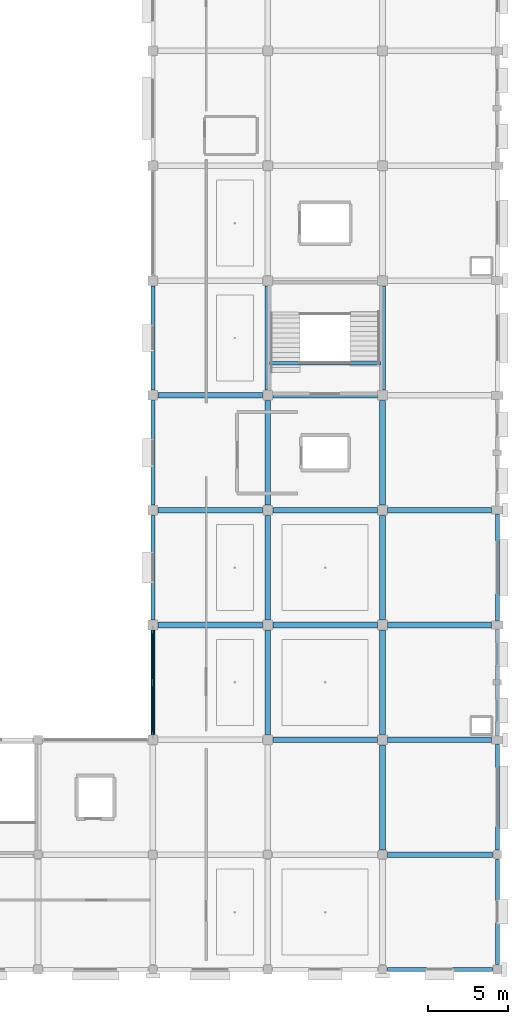
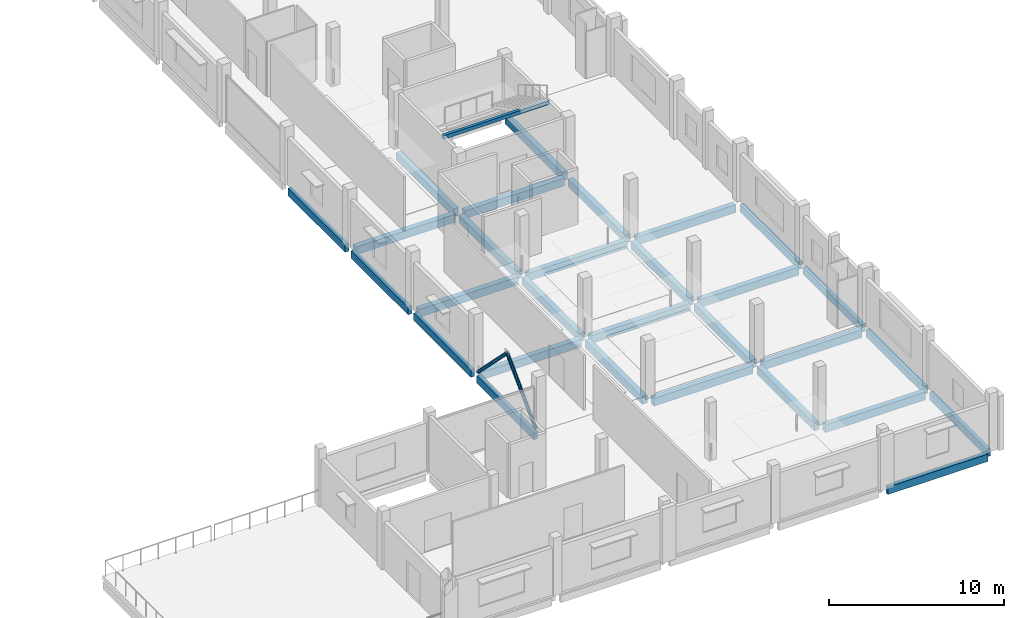
# One storey, part 17 of 59: 30 beams, 2 members.
"""IFC4 building model written with IfcOpenShell, lengths in metres."""

from ifc_helpers import new_model, si_unit, direction, frame, origin, origin_2d, place, context, subcontext, project, spatial, rectangle, hollow_circle, extrude, material, material_profile, profile_set, type_object, element, save


model = new_model("IFC4")

# Units and contexts
model_context = context("Model", 3, precision=1e-05, world=origin(), true_north=direction((0.0, 1.0)))
body_context = subcontext(model_context, "Body", "Model", "MODEL_VIEW")
ifc_project = project(units=[si_unit("LENGTHUNIT", "METRE"), si_unit("AREAUNIT", "SQUARE_METRE"), si_unit("VOLUMEUNIT", "CUBIC_METRE"), si_unit("PLANEANGLEUNIT", "RADIAN"), si_unit("MASSUNIT", "GRAM", prefix="KILO")], contexts=[model_context])

# Site, building, storey
site_placement = place(None, origin())
site = spatial("IfcSite", under=ifc_project, at=site_placement, CompositionType="ELEMENT")
building_placement = place(site_placement, origin())
building = spatial("IfcBuilding", under=site, at=building_placement, Name="Kangsadwip Square Police Headquarters", CompositionType="ELEMENT")
storey_placement = place(building_placement, frame((0.0, 0.0, 21.60009765625)))
storey = spatial("IfcBuildingStorey", under=building, at=storey_placement, Name="L05", CompositionType="ELEMENT", Elevation=21.60009765625)

# Beams
ifc_material_1 = material(Name="Concrete M35 (35 MPa)", Category="concrete")
ifc_material_profile_1 = material_profile(ifc_material_1, rectangle(XDim=0.35009765625, YDim=0.550048828125, at=origin_2d()), Name="RC BM 550X350")
ifc_profile_set_1 = profile_set([ifc_material_profile_1], Name="Concrete M35 (35 MPa)")
beam_type_1 = type_object("IfcBeamType", Name="RcBeam550x350", PredefinedType="BEAM", material=ifc_profile_set_1)
beam_1_placement = place(storey_placement, frame((158.699951171875, 28.800048828125, -0.4951171875), z_axis=(1.0, 0.0, 0.0), x_axis=(0.0, 1.0, 0.0)))
element("IfcBeam", 1, at=beam_1_placement, inside=storey, type_object=beam_type_1, Name="Beam BM-L05-X-22-04", PredefinedType="BEAM", context=body_context, shape_type="SweptSolid", body=[
    extrude(rectangle(XDim=0.35009765625, YDim=0.550048828125, at=origin_2d()), origin(), (0.0, 0.0, 1.0), 6.60009765625),
])
beam_2_placement = place(storey_placement, frame((151.52490234375, 36.0, -0.4951171875), z_axis=(1.0, 0.0, 0.0), x_axis=(0.0, 1.0, 0.0)))
element("IfcBeam", 2, at=beam_2_placement, inside=storey, type_object=beam_type_1, Name="Beam BM-L05-X-21-05", PredefinedType="BEAM", context=body_context, shape_type="SweptSolid", body=[
    extrude(rectangle(XDim=0.35009765625, YDim=0.550048828125, at=origin_2d()), origin(), (0.0, 0.0, 1.0), 6.550048828125),
])
beam_3_placement = place(storey_placement, frame((158.72509765625, 36.0, -0.4951171875), z_axis=(1.0, 0.0, 0.0), x_axis=(0.0, 1.0, 0.0)))
element("IfcBeam", 3, at=beam_3_placement, inside=storey, type_object=beam_type_1, Name="Beam BM-L05-X-22-05", PredefinedType="BEAM", context=body_context, shape_type="SweptSolid", body=[
    extrude(rectangle(XDim=0.35009765625, YDim=0.550048828125, at=origin_2d()), origin(), (0.0, 0.0, 1.0), 6.52490234375),
])
for number, where, z_axis, x_axis, name in (
    (4, (144.324951171875, 43.199951171875, -0.4951171875), (1.0, 0.0, 0.0), (0.0, 1.0, 0.0), "Beam BM-L05-X-20-06"),
    (5, (151.52490234375, 43.199951171875, -0.4951171875), (1.0, 0.0, 0.0), (0.0, 1.0, 0.0), "Beam BM-L05-X-21-06"),
):
    element("IfcBeam", number, at=place(storey_placement, frame(where, z_axis=z_axis, x_axis=x_axis)), inside=storey, type_object=beam_type_1, Name=name, PredefinedType="BEAM", context=body_context, shape_type="SweptSolid", body=[
        extrude(rectangle(XDim=0.35009765625, YDim=0.550048828125, at=origin_2d()), origin(), (0.0, 0.0, 1.0), 6.550048828125),
    ])
beam_4_placement = place(storey_placement, frame((158.72509765625, 43.199951171875, -0.4951171875), z_axis=(1.0, 0.0, 0.0), x_axis=(0.0, 1.0, 0.0)))
element("IfcBeam", 6, at=beam_4_placement, inside=storey, type_object=beam_type_1, Name="Beam BM-L05-X-22-06", PredefinedType="BEAM", context=body_context, shape_type="SweptSolid", body=[
    extrude(rectangle(XDim=0.35009765625, YDim=0.550048828125, at=origin_2d()), origin(), (0.0, 0.0, 1.0), 6.52490234375),
])
for number, where, z_axis, x_axis, name in (
    (7, (144.324951171875, 50.39990234375, -0.4951171875), (1.0, 0.0, 0.0), (0.0, 1.0, 0.0), "Beam BM-L05-X-20-07"),
    (8, (151.52490234375, 50.39990234375, -0.4951171875), (1.0, 0.0, 0.0), (0.0, 1.0, 0.0), "Beam BM-L05-X-21-07"),
):
    element("IfcBeam", number, at=place(storey_placement, frame(where, z_axis=z_axis, x_axis=x_axis)), inside=storey, type_object=beam_type_1, Name=name, PredefinedType="BEAM", context=body_context, shape_type="SweptSolid", body=[
        extrude(rectangle(XDim=0.35009765625, YDim=0.550048828125, at=origin_2d()), origin(), (0.0, 0.0, 1.0), 6.550048828125),
    ])
beam_5_placement = place(storey_placement, frame((158.72509765625, 50.39990234375, -0.4951171875), z_axis=(1.0, 0.0, 0.0), x_axis=(0.0, 1.0, 0.0)))
element("IfcBeam", 9, at=beam_5_placement, inside=storey, type_object=beam_type_1, Name="Beam BM-L05-X-22-07", PredefinedType="BEAM", context=body_context, shape_type="SweptSolid", body=[
    extrude(rectangle(XDim=0.35009765625, YDim=0.550048828125, at=origin_2d()), origin(), (0.0, 0.0, 1.0), 6.52490234375),
])
for number, where, z_axis, x_axis, name in (
    (10, (144.324951171875, 57.60009765625, -0.4951171875), (1.0, 0.0, 0.0), (0.0, 1.0, 0.0), "Beam BM-L05-X-20-08"),
    (11, (151.52490234375, 57.60009765625, -0.4951171875), (1.0, 0.0, 0.0), (0.0, 1.0, 0.0), "Beam BM-L05-X-21-08"),
    (12, (151.199951171875, 36.324951171875, -0.4951171875), (0.0, 1.0, 0.0), (-1.0, 0.0, 0.0), "Beam BM-L05-Y-21-05"),
    (13, (151.199951171875, 43.52490234375, -0.4951171875), (0.0, 1.0, 0.0), (-1.0, 0.0, 0.0), "Beam BM-L05-Y-21-06"),
):
    element("IfcBeam", number, at=place(storey_placement, frame(where, z_axis=z_axis, x_axis=x_axis)), inside=storey, type_object=beam_type_1, Name=name, PredefinedType="BEAM", context=body_context, shape_type="SweptSolid", body=[
        extrude(rectangle(XDim=0.35009765625, YDim=0.550048828125, at=origin_2d()), origin(), (0.0, 0.0, 1.0), 6.550048828125),
    ])
beam_6_placement = place(storey_placement, frame((151.199951171875, 50.72509765625, -0.4951171875), z_axis=(0.0, 1.0, 0.0), x_axis=(-1.0, 0.0, 0.0)))
element("IfcBeam", 14, at=beam_6_placement, inside=storey, type_object=beam_type_1, Name="Beam BM-L05-Y-21-07", PredefinedType="BEAM", context=body_context, shape_type="SweptSolid", body=[
    extrude(rectangle(XDim=0.35009765625, YDim=0.550048828125, at=origin_2d()), origin(), (0.0, 0.0, 1.0), 6.5498046875),
])
beam_7_placement = place(storey_placement, frame((151.199951171875, 57.925048828125, -0.4951171875), z_axis=(0.0, 1.0, 0.0), x_axis=(-1.0, 0.0, 0.0)))
element("IfcBeam", 15, at=beam_7_placement, inside=storey, type_object=beam_type_1, Name="Beam BM-L05-Y-21-08", PredefinedType="BEAM", context=body_context, shape_type="SweptSolid", body=[
    extrude(rectangle(XDim=0.35009765625, YDim=0.550048828125, at=origin_2d()), origin(), (0.0, 0.0, 1.0), 6.550048828125),
])
beam_8_placement = place(storey_placement, frame((158.39990234375, 29.10009765625, -0.4951171875), z_axis=(0.0, 1.0, 0.0), x_axis=(-1.0, 0.0, 0.0)))
element("IfcBeam", 16, at=beam_8_placement, inside=storey, type_object=beam_type_1, Name="Beam BM-L05-Y-22-04", PredefinedType="BEAM", context=body_context, shape_type="SweptSolid", body=[
    extrude(rectangle(XDim=0.35009765625, YDim=0.550048828125, at=origin_2d()), origin(), (0.0, 0.0, 1.0), 6.574951171875),
])
for number, where, z_axis, x_axis, name in (
    (17, (158.39990234375, 36.324951171875, -0.4951171875), (0.0, 1.0, 0.0), (-1.0, 0.0, 0.0), "Beam BM-L05-Y-22-05"),
    (18, (158.39990234375, 43.52490234375, -0.4951171875), (0.0, 1.0, 0.0), (-1.0, 0.0, 0.0), "Beam BM-L05-Y-22-06"),
):
    element("IfcBeam", number, at=place(storey_placement, frame(where, z_axis=z_axis, x_axis=x_axis)), inside=storey, type_object=beam_type_1, Name=name, PredefinedType="BEAM", context=body_context, shape_type="SweptSolid", body=[
        extrude(rectangle(XDim=0.35009765625, YDim=0.550048828125, at=origin_2d()), origin(), (0.0, 0.0, 1.0), 6.550048828125),
    ])
beam_9_placement = place(storey_placement, frame((158.39990234375, 50.72509765625, -0.4951171875), z_axis=(0.0, 1.0, 0.0), x_axis=(-1.0, 0.0, 0.0)))
element("IfcBeam", 19, at=beam_9_placement, inside=storey, type_object=beam_type_1, Name="Beam BM-L05-Y-22-07", PredefinedType="BEAM", context=body_context, shape_type="SweptSolid", body=[
    extrude(rectangle(XDim=0.35009765625, YDim=0.550048828125, at=origin_2d()), origin(), (0.0, 0.0, 1.0), 6.5498046875),
])
beam_10_placement = place(storey_placement, frame((158.39990234375, 57.925048828125, -0.4951171875), z_axis=(0.0, 1.0, 0.0), x_axis=(-1.0, 0.0, 0.0)))
element("IfcBeam", 20, at=beam_10_placement, inside=storey, type_object=beam_type_1, Name="Beam BM-L05-Y-22-08", PredefinedType="BEAM", context=body_context, shape_type="SweptSolid", body=[
    extrude(rectangle(XDim=0.35009765625, YDim=0.550048828125, at=origin_2d()), origin(), (0.0, 0.0, 1.0), 6.550048828125),
])
ifc_material_2 = material(Name="Concrete M30 (30 MPa)", Category="concrete")
ifc_material_profile_2 = material_profile(ifc_material_2, rectangle(XDim=0.199951171875, YDim=0.25, at=origin_2d()), Name="RC LNT 250X200")
ifc_profile_set_2 = profile_set([ifc_material_profile_2], Name="Concrete M30 (30 MPa)")
beam_type_2 = type_object("IfcBeamType", Name="RcLintel250x200", PredefinedType="LINTEL", material=ifc_profile_set_2)
beam_11_placement = place(storey_placement, frame((151.300048828125, 59.6201171875, 3.704833984375), z_axis=(1.0, 0.0, 0.0), x_axis=(0.0, 1.0, 0.0)))
element("IfcBeam", 21, at=beam_11_placement, inside=storey, type_object=beam_type_2, Name="Stair Carriage and Landing Beam BM-ST-L05-053", PredefinedType="BEAM", context=body_context, shape_type="SweptSolid", body=[
    extrude(rectangle(XDim=0.199951171875, YDim=0.25, at=origin_2d()), origin(), (0.0, 0.0, 1.0), 7.0),
])
ifc_material_3 = material(Name="Concrete M35 (35 MPa)", Category="concrete")
ifc_material_profile_3 = material_profile(ifc_material_3, rectangle(XDim=0.25, YDim=0.52001953125, at=origin_2d()), Name="RC SPN 520X250")
ifc_profile_set_3 = profile_set([ifc_material_profile_3], Name="Concrete M35 (35 MPa)")
beam_type_3 = type_object("IfcBeamType", Name="RcSpandrel520x250", PredefinedType="SPANDREL", material=ifc_profile_set_3)
beam_12_placement = place(storey_placement, frame((158.699951171875, 21.60009765625, -0.47998046875), z_axis=(1.0, 0.0, 0.0), x_axis=(0.0, 1.0, 0.0)))
element("IfcBeam", 22, at=beam_12_placement, inside=storey, type_object=beam_type_3, Name="Beam BM-L05-X-22-03", PredefinedType="SPANDREL", context=body_context, shape_type="SweptSolid", body=[
    extrude(rectangle(XDim=0.25, YDim=0.52001953125, at=origin_2d()), origin(), (0.0, 0.0, 1.0), 6.60009765625),
])
for number, where, z_axis, x_axis, name in (
    (23, (144.0, 36.324951171875, -0.47998046875), (0.0, 1.0, 0.0), (-1.0, 0.0, 0.0), "Beam BM-L05-Y-20-05"),
    (24, (144.0, 43.52490234375, -0.47998046875), (0.0, 1.0, 0.0), (-1.0, 0.0, 0.0), "Beam BM-L05-Y-20-06"),
):
    element("IfcBeam", number, at=place(storey_placement, frame(where, z_axis=z_axis, x_axis=x_axis)), inside=storey, type_object=beam_type_3, Name=name, PredefinedType="SPANDREL", context=body_context, shape_type="SweptSolid", body=[
        extrude(rectangle(XDim=0.25, YDim=0.52001953125, at=origin_2d()), origin(), (0.0, 0.0, 1.0), 6.550048828125),
    ])
beam_13_placement = place(storey_placement, frame((144.0, 50.72509765625, -0.47998046875), z_axis=(0.0, 1.0, 0.0), x_axis=(-1.0, 0.0, 0.0)))
element("IfcBeam", 25, at=beam_13_placement, inside=storey, type_object=beam_type_3, Name="Beam BM-L05-Y-20-07", PredefinedType="SPANDREL", context=body_context, shape_type="SweptSolid", body=[
    extrude(rectangle(XDim=0.25, YDim=0.52001953125, at=origin_2d()), origin(), (0.0, 0.0, 1.0), 6.5498046875),
])
beam_14_placement = place(storey_placement, frame((144.0, 57.925048828125, -0.47998046875), z_axis=(0.0, 1.0, 0.0), x_axis=(-1.0, 0.0, 0.0)))
element("IfcBeam", 26, at=beam_14_placement, inside=storey, type_object=beam_type_3, Name="Beam BM-L05-Y-20-08", PredefinedType="SPANDREL", context=body_context, shape_type="SweptSolid", body=[
    extrude(rectangle(XDim=0.25, YDim=0.52001953125, at=origin_2d()), origin(), (0.0, 0.0, 1.0), 6.550048828125),
])
beam_15_placement = place(storey_placement, frame((165.60009765625, 21.89990234375, -0.47998046875), z_axis=(0.0, 1.0, 0.0), x_axis=(-1.0, 0.0, 0.0)))
element("IfcBeam", 27, at=beam_15_placement, inside=storey, type_object=beam_type_3, Name="Beam BM-L05-Y-23-03", PredefinedType="SPANDREL", context=body_context, shape_type="SweptSolid", body=[
    extrude(rectangle(XDim=0.25, YDim=0.52001953125, at=origin_2d()), origin(), (0.0, 0.0, 1.0), 6.60009765625),
])
beam_16_placement = place(storey_placement, frame((165.60009765625, 29.10009765625, -0.47998046875), z_axis=(0.0, 1.0, 0.0), x_axis=(-1.0, 0.0, 0.0)))
element("IfcBeam", 28, at=beam_16_placement, inside=storey, type_object=beam_type_3, Name="Beam BM-L05-Y-23-04", PredefinedType="SPANDREL", context=body_context, shape_type="SweptSolid", body=[
    extrude(rectangle(XDim=0.25, YDim=0.52001953125, at=origin_2d()), origin(), (0.0, 0.0, 1.0), 6.64990234375),
])
for number, where, z_axis, x_axis, name in (
    (29, (165.60009765625, 36.25, -0.47998046875), (0.0, 1.0, 0.0), (-1.0, 0.0, 0.0), "Beam BM-L05-Y-23-05"),
    (30, (165.60009765625, 43.449951171875, -0.47998046875), (0.0, 1.0, 0.0), (-1.0, 0.0, 0.0), "Beam BM-L05-Y-23-06"),
):
    element("IfcBeam", number, at=place(storey_placement, frame(where, z_axis=z_axis, x_axis=x_axis)), inside=storey, type_object=beam_type_3, Name=name, PredefinedType="SPANDREL", context=body_context, shape_type="SweptSolid", body=[
        extrude(rectangle(XDim=0.25, YDim=0.52001953125, at=origin_2d()), origin(), (0.0, 0.0, 1.0), 6.699951171875),
    ])

# Members
ifc_material_4 = material(Name="Structural steel IS 2062 E350 (Grade 350, 350 MPa)", Category="steel")
ifc_material_profile_4 = material_profile(ifc_material_4, hollow_circle(Radius=0.109619140625, WallThickness=0.010009765625, at=origin_2d()), Name="CHS 219X10")
ifc_profile_set_4 = profile_set([ifc_material_profile_4], Name="Structural steel IS 2062 E350 (Grade 350, 350 MPa)")
member_type = type_object("IfcMemberType", Name="TrussBraceChs219", PredefinedType="BRACE", material=ifc_profile_set_4)
for number, where, z_axis, x_axis, name in (
    (31, (144.0, 36.300048828125, 0.0), (0.0, 0.706061308246, 0.708150710653), (-1.0, 0.0, 0.0), "Truss Member MEM-L05-0296"),
    (32, (144.0, 42.89990234375, 0.0), (0.0, -0.706035112093, 0.708176828547), (1.0, 0.0, 0.0), "Truss Member MEM-L05-0297"),
):
    element("IfcMember", number, at=place(storey_placement, frame(where, z_axis=z_axis, x_axis=x_axis)), inside=storey, type_object=member_type, Name=name, PredefinedType="BRACE", context=body_context, shape_type="SweptSolid", body=[
        extrude(hollow_circle(Radius=0.109619140625, WallThickness=0.010009765625, at=origin_2d()), origin(), (0.0, 0.0, 1.0), 4.673828125),
    ])

save(model, "model.ifc")
